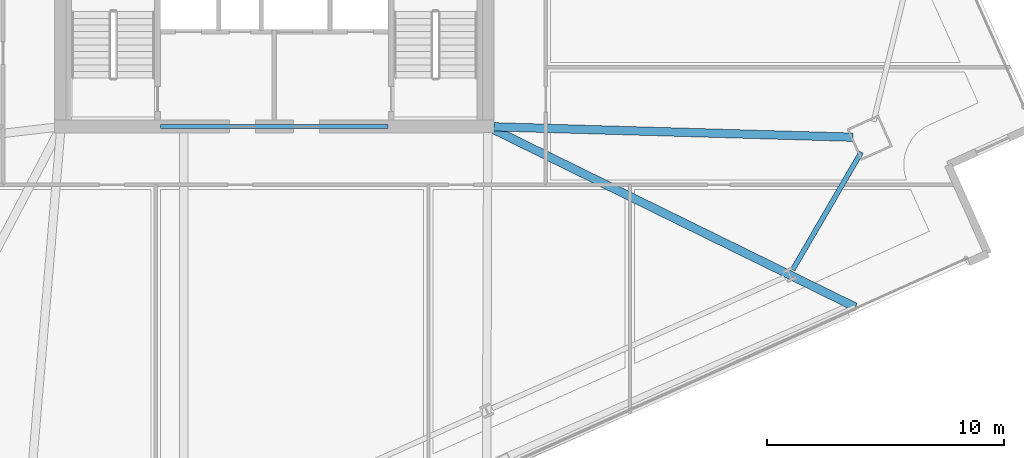
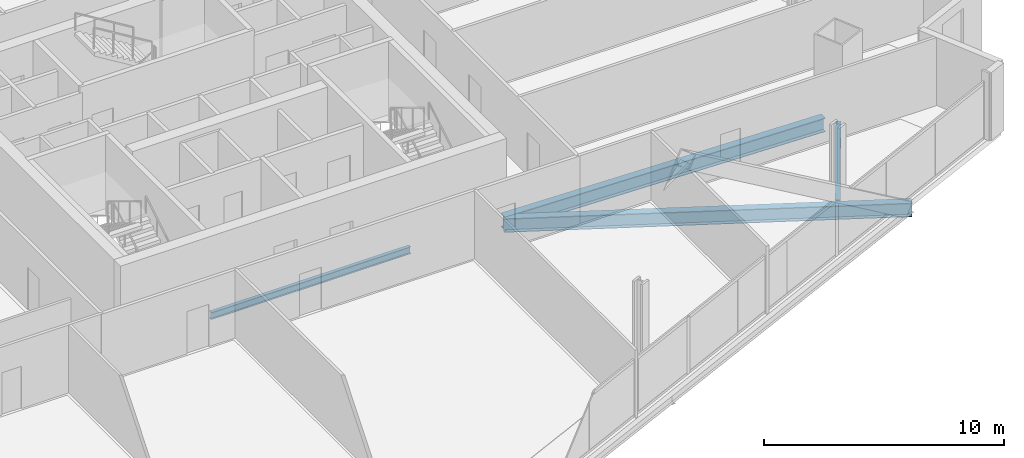
# One storey, part 11 of 38: 4 beams.
"""IFC4 building model written with IfcOpenShell, lengths in metres."""

from ifc_helpers import new_model, si_unit, direction, frame, origin, origin_2d, place, context, subcontext, project, spatial, i_section, extrude, material, material_profile, profile_set, type_object, element, save


model = new_model("IFC4")

# Units and contexts
model_context = context("Model", 3, precision=1e-05, world=origin(), true_north=direction((0.0, 1.0)))
body_context = subcontext(model_context, "Body", "Model", "MODEL_VIEW")
ifc_project = project(units=[si_unit("LENGTHUNIT", "METRE"), si_unit("AREAUNIT", "SQUARE_METRE"), si_unit("VOLUMEUNIT", "CUBIC_METRE"), si_unit("PLANEANGLEUNIT", "RADIAN"), si_unit("MASSUNIT", "GRAM", prefix="KILO")], contexts=[model_context])

# Site, building, storey
site_placement = place(None, origin())
site = spatial("IfcSite", under=ifc_project, at=site_placement, CompositionType="ELEMENT")
building_placement = place(site_placement, origin())
building = spatial("IfcBuilding", under=site, at=building_placement, Name="Haldenkirk Collegiate Tower", CompositionType="ELEMENT")
storey_placement = place(building_placement, frame((0.0, 0.0, 109.199951171875)))
storey = spatial("IfcBuildingStorey", under=building, at=storey_placement, Name="L26", CompositionType="ELEMENT", Elevation=109.199951171875)

# Beams
ifc_material = material(Name="Steel ASTM A992 Grade 50", Category="steel")
ifc_material_profile_1 = material_profile(ifc_material, i_section(OverallWidth=0.35498046875, OverallDepth=0.696044921875, WebThickness=0.015380859375, FlangeThickness=0.02490234375, at=origin_2d()), Name="W27X146")
ifc_profile_set_1 = profile_set([ifc_material_profile_1], Name="Steel ASTM A992 Grade 50")
beam_type_1 = type_object("IfcBeamType", Name="BM-GIRDER-W27X146", PredefinedType="BEAM", material=ifc_profile_set_1)
beam_1_placement = place(storey_placement, frame((60.4072265625, 17.55322265625, -0.64794921875), z_axis=(-0.999579697841, 0.028990130448, 0.0), x_axis=(-0.028990130448, -0.999579697841, 0.0)))
element("IfcBeam", 1, at=beam_1_placement, inside=storey, type_object=beam_type_1, Name="L26 primary floor girder 02", PredefinedType="BEAM", context=body_context, shape_type="SweptSolid", body=[
    extrude(i_section(OverallWidth=0.35498046875, OverallDepth=0.696044921875, WebThickness=0.015380859375, FlangeThickness=0.02490234375, at=origin_2d()), origin(), (0.0, 0.0, 1.0), 15.15869140625),
])
beam_2_placement = place(storey_placement, frame((60.514892578125, 10.3828125, -0.64794921875), z_axis=(-0.897646677087, 0.440715830344, 0.0), x_axis=(-0.440715830344, -0.897646677087, 0.0)))
element("IfcBeam", 2, at=beam_2_placement, inside=storey, type_object=beam_type_1, Name="L26 primary floor girder 07", PredefinedType="BEAM", context=body_context, shape_type="SweptSolid", body=[
    extrude(i_section(OverallWidth=0.35498046875, OverallDepth=0.696044921875, WebThickness=0.015380859375, FlangeThickness=0.02490234375, at=origin_2d()), origin(), (0.0, 0.0, 1.0), 17.02880859375),
])
ifc_material_profile_2 = material_profile(ifc_material, i_section(OverallWidth=0.1708984375, OverallDepth=0.35595703125, WebThickness=0.007080078125, FlangeThickness=0.01171875, at=origin_2d()), Name="W14X34")
ifc_profile_set_2 = profile_set([ifc_material_profile_2], Name="Steel ASTM A992 Grade 50")
beam_type_2 = type_object("IfcBeamType", Name="BM-LINTEL-W14X34", PredefinedType="LINTEL", material=ifc_profile_set_2)
beam_3_placement = place(storey_placement, frame((31.199951171875, 18.0, -0.47802734375), z_axis=(1.0, 0.0, 0.0), x_axis=(0.0, 1.0, 0.0)))
element("IfcBeam", 3, at=beam_3_placement, inside=storey, type_object=beam_type_2, Name="L26 south core coupling lintel", PredefinedType="LINTEL", context=body_context, shape_type="SweptSolid", body=[
    extrude(i_section(OverallWidth=0.1708984375, OverallDepth=0.35595703125, WebThickness=0.007080078125, FlangeThickness=0.01171875, at=origin_2d()), origin(), (0.0, 0.0, 1.0), 9.60009765625),
])
ifc_material_profile_3 = material_profile(ifc_material, i_section(OverallWidth=0.2119140625, OverallDepth=0.5439453125, WebThickness=0.01318359375, FlangeThickness=0.021240234375, at=origin_2d()), Name="W21X83")
ifc_profile_set_3 = profile_set([ifc_material_profile_3], Name="Steel ASTM A992 Grade 50")
beam_type_3 = type_object("IfcBeamType", Name="BM-SPANDREL-W21X83", PredefinedType="SPANDREL", material=ifc_profile_set_3)
beam_4_placement = place(storey_placement, frame((57.86181640625, 11.958251953125, -0.572021484375), z_axis=(0.503667660107, 0.863897498643, 0.0), x_axis=(-0.863897498643, 0.503667660107, 0.0)))
element("IfcBeam", 4, at=beam_4_placement, inside=storey, type_object=beam_type_3, Name="L26 perimeter spandrel beam 04", PredefinedType="SPANDREL", context=body_context, shape_type="SweptSolid", body=[
    extrude(i_section(OverallWidth=0.2119140625, OverallDepth=0.5439453125, WebThickness=0.01318359375, FlangeThickness=0.021240234375, at=origin_2d()), origin(), (0.0, 0.0, 1.0), 5.747802734375),
])

save(model, "model.ifc")
